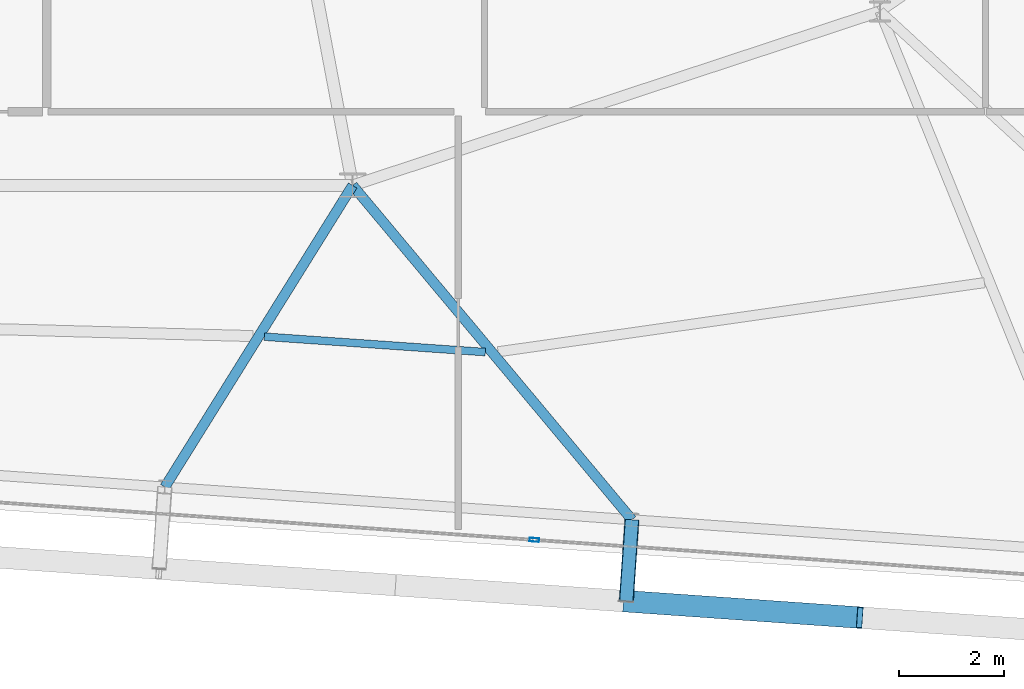
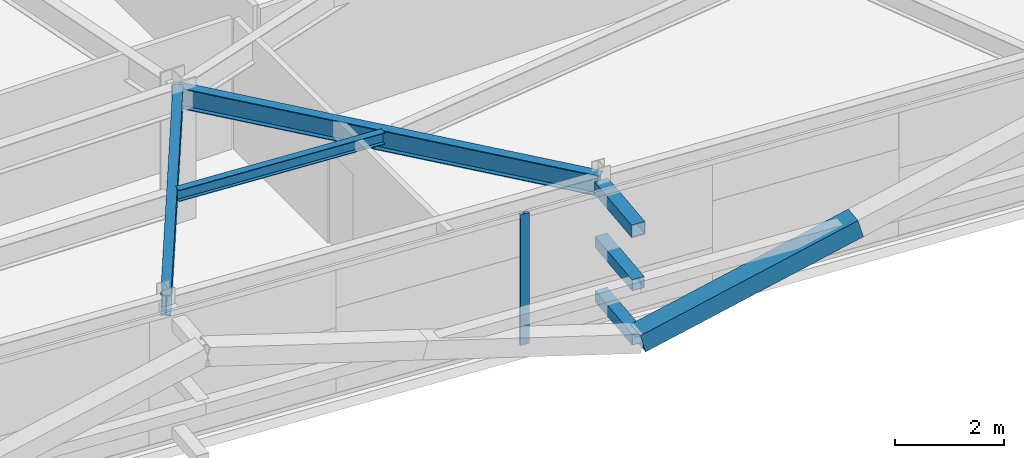
# One storey, part 13 of 39: 5 members, 3 beams, 1 element without a shape of its own.
"""IFC4 building model written with IfcOpenShell, lengths in metres."""

from ifc_helpers import new_model, si_unit, direction, frame, origin, origin_2d, place, context, subcontext, project, spatial, hollow_rectangle, i_section, extrude, source, transform, mapped, material, layer, layer_set, material_profile, profile_set, type_object, element, aggregate, save


model = new_model("IFC4")

# Units and contexts
model_context = context("Model", 3, precision=1e-05, world=origin(), true_north=direction((0.0, 1.0)))
body_context = subcontext(model_context, "Body", "Model", "MODEL_VIEW")
ifc_project = project(units=[si_unit("LENGTHUNIT", "METRE"), si_unit("AREAUNIT", "SQUARE_METRE"), si_unit("VOLUMEUNIT", "CUBIC_METRE"), si_unit("PLANEANGLEUNIT", "RADIAN"), si_unit("MASSUNIT", "GRAM", prefix="KILO")], contexts=[model_context])

# Site, building, storey
site_placement = place(None, origin())
site = spatial("IfcSite", under=ifc_project, at=site_placement, CompositionType="ELEMENT")
building_placement = place(site_placement, origin())
building = spatial("IfcBuilding", under=site, at=building_placement, Name="Taldren Reach Tower", CompositionType="ELEMENT")
storey_placement = place(building_placement, frame((0.0, 0.0, 126.699951171875)))
storey = spatial("IfcBuildingStorey", under=building, at=storey_placement, Name="L38", CompositionType="ELEMENT", Elevation=126.699951171875)

# Members
ifc_material_1 = material(Name="Steel Gr 450 (C450L0)", Category="steel")
ifc_material_profile_1 = material_profile(ifc_material_1, hollow_rectangle(XDim=0.27490234375, YDim=0.27490234375, WallThickness=0.00927734375, at=origin_2d()), Name="275x275x9.3SHS")
ifc_profile_set_1 = profile_set([ifc_material_profile_1], Name="Steel Gr 450 (C450L0)")
member_type_1 = type_object("IfcMemberType", Name="MB-TIE273", PredefinedType="STRUT", material=ifc_profile_set_1)
shared_shape_1 = source(origin(), body_context, "Body", "SweptSolid", [
    extrude(hollow_rectangle(XDim=0.27490234375, YDim=0.27490234375, WallThickness=0.00927734375, at=origin_2d()), origin(), (0.0, 0.0, 1.0), 1.5498046875),
])
member_1_placement = place(storey_placement, frame((47.297119140625, 2.860595703125, 2.650146484375), z_axis=(-0.069780535098, -0.997562367434, 0.0), x_axis=(0.997562367434, -0.069780535098, 0.0)))
element("IfcMember", 1, at=member_1_placement, inside=storey, type_object=member_type_1, Name="Exoskeleton diaphragm tie strut B3-S5 L38", PredefinedType="STRUT", context=body_context, shape_type="MappedRepresentation", body=[
    mapped(shared_shape_1, transform((0.0, 0.0, 0.0), scale=1.0)),
])
ifc_material_2 = material(Name="Steel Gr 350 (C350L0)", Category="steel")
ifc_material_profile_2 = material_profile(ifc_material_2, hollow_rectangle(XDim=0.25, YDim=0.25, WallThickness=0.010009765625, at=origin_2d()), Name="250x250x10.0SHS")
ifc_profile_set_2 = profile_set([ifc_material_profile_2], Name="Steel Gr 350 (C350L0)")
member_type_2 = type_object("IfcMemberType", Name="MB-POST250", PredefinedType="POST", material=ifc_profile_set_2)
shared_shape_2 = source(origin(), body_context, "Body", "SweptSolid", [
    extrude(hollow_rectangle(XDim=0.25, YDim=0.25, WallThickness=0.010009765625, at=origin_2d()), origin(), (0.0, 0.0, 1.0), 1.5498046875),
])
for number, where, z_axis, x_axis, name in (
    (2, (47.297119140625, 2.860595703125, 0.219970703125), (-0.069780535098, -0.997562367434, 0.0), (0.997562367434, -0.069780535098, 0.0), "Exoskeleton base diaphragm tie strut B3-S5 L38"),
    (3, (47.297119140625, 2.860595703125, 1.43505859375), (-0.069780535098, -0.997562367434, 0.0), (0.997562367434, -0.069780535098, 0.0), "Exoskeleton mid-tier diaphragm tie B3-S5 L38"),
):
    element("IfcMember", number, at=place(storey_placement, frame(where, z_axis=z_axis, x_axis=x_axis)), inside=storey, type_object=member_type_2, Name=name, PredefinedType="POST", context=body_context, shape_type="MappedRepresentation", body=[
        mapped(shared_shape_2, transform((0.0, 0.0, 0.0), scale=1.0)),
    ])

# Beams
ifc_material_3 = material(Name="Steel Gr 350 (350PLUS)", Category="steel")
ifc_material_profile_3 = material_profile(ifc_material_3, i_section(OverallWidth=0.19091796875, OverallDepth=0.4599609375, WebThickness=0.010009765625, FlangeThickness=0.01611328125, at=origin_2d()), Name="460UB82.1")
ifc_profile_set_3 = profile_set([ifc_material_profile_3], Name="Steel Gr 350 (350PLUS)")
beam_type_1 = type_object("IfcBeamType", Name="BM-UB460A", PredefinedType="BEAM", material=ifc_profile_set_3)
shared_shape_3 = source(origin(), body_context, "Body", "SweptSolid", [
    extrude(i_section(OverallWidth=0.19091796875, OverallDepth=0.4599609375, WebThickness=0.010009765625, FlangeThickness=0.01611328125, at=origin_2d()), origin(), (0.0, 0.0, 1.0), 6.73779296875),
])
beam_1_placement = place(storey_placement, frame((42.0, 9.199951171875, 2.699951171875), z_axis=(-0.528552048024, -0.848900896765, 0.0), x_axis=(0.848900896765, -0.528552048024, 0.0)))
element("IfcBeam", 4, at=beam_1_placement, inside=storey, type_object=beam_type_1, Name="Primary floor girder B3-S4 L38", PredefinedType="BEAM", context=body_context, shape_type="MappedRepresentation", body=[
    mapped(shared_shape_3, transform((0.0, 0.0, 0.0), scale=1.0)),
])
shared_shape_4 = source(origin(), body_context, "Body", "SweptSolid", [
    extrude(i_section(OverallWidth=0.19091796875, OverallDepth=0.4599609375, WebThickness=0.010009765625, FlangeThickness=0.01611328125, at=origin_2d()), origin(), (0.0, 0.0, 1.0), 8.26123046875),
])
beam_2_placement = place(storey_placement, frame((42.0, 9.199951171875, 2.699951171875), z_axis=(0.64120703686, -0.767367927322, 0.0), x_axis=(0.767367927322, 0.64120703686, 0.0)))
element("IfcBeam", 5, at=beam_2_placement, inside=storey, type_object=beam_type_1, Name="Primary floor girder B3-S5 L38", PredefinedType="BEAM", context=body_context, shape_type="MappedRepresentation", body=[
    mapped(shared_shape_4, transform((0.0, 0.0, 0.0), scale=1.0)),
])
ifc_material_4 = material(Name="Steel Gr 300 (300PLUS, 300 MPa)", Category="steel")
ifc_material_profile_4 = material_profile(ifc_material_4, i_section(OverallWidth=0.14599609375, OverallDepth=0.256103515625, WebThickness=0.00634765625, FlangeThickness=0.010986328125, at=origin_2d()), Name="250UB37.3")
ifc_profile_set_4 = profile_set([ifc_material_profile_4], Name="Steel Gr 300 (300PLUS, 300 MPa)")
beam_type_2 = type_object("IfcBeamType", Name="JS-UB250", PredefinedType="JOIST", material=ifc_profile_set_4)
shared_shape_5 = source(origin(), body_context, "Body", "SweptSolid", [
    extrude(i_section(OverallWidth=0.14599609375, OverallDepth=0.256103515625, WebThickness=0.00634765625, FlangeThickness=0.010986328125, at=origin_2d()), origin(), (0.0, 0.0, 1.0), 4.199462890625),
])
beam_3_placement = place(storey_placement, frame((40.3271484375, 6.33251953125, 2.802001953125), z_axis=(0.99756354117, -0.069763753681, 0.0), x_axis=(0.069763753681, 0.99756354117, 0.0)))
element("IfcBeam", 6, at=beam_3_placement, inside=storey, type_object=beam_type_2, Name="Secondary floor joist B3 J4 L38", PredefinedType="JOIST", context=body_context, shape_type="MappedRepresentation", body=[
    mapped(shared_shape_5, transform((0.0, 0.0, 0.0), scale=1.0)),
])

# Member
ifc_material_profile_5 = material_profile(ifc_material_1, hollow_rectangle(XDim=0.409912109375, YDim=0.409912109375, WallThickness=0.01611328125, at=origin_2d()), Name="410x410x16.0SHS")
ifc_profile_set_5 = profile_set([ifc_material_profile_5], Name="Steel Gr 450 (C450L0)")
member_type_3 = type_object("IfcMemberType", Name="MB-EXO406", PredefinedType="BRACE", material=ifc_profile_set_5)
shared_shape_6 = source(origin(), body_context, "Body", "SweptSolid", [
    extrude(hollow_rectangle(XDim=0.409912109375, YDim=0.409912109375, WallThickness=0.01611328125, at=origin_2d()), origin(), (0.0, 0.0, 1.0), 4.603271484375),
])
member_2_placement = place(storey_placement, frame((47.18896484375, 1.314453125, 0.219970703125), z_axis=(0.962182351074, -0.067302910567, 0.263961060594), x_axis=(0.06977769246, 0.997562566276, 0.0)))
element("IfcMember", 7, at=member_2_placement, inside=storey, type_object=member_type_3, Name="Exoskeleton Diagrid Brace B3-S5 L38", PredefinedType="BRACE", context=body_context, shape_type="MappedRepresentation", body=[
    mapped(shared_shape_6, transform((0.0, 0.0, 0.0), scale=1.0)),
])

# Curtain wall, member
ifc_material_5 = material(Name="Aluminium and Low-E Glass Unitised System", Category="aluminium")
ifc_layer = layer(ifc_material_5, 0.159912109375)
ifc_layer_set = layer_set([ifc_layer], Name="Aluminium and Low-E Glass Unitised System")
curtain_wall_type = type_object("IfcCurtainWallType", Name="CW-SYS-4", PredefinedType="NOTDEFINED", material=ifc_layer_set)
curtain_wall_placement = place(storey_placement, origin())
curtain_wall = element("IfcCurtainWall", 8, at=curtain_wall_placement, inside=storey, type_object=curtain_wall_type, Name="Unitised curtain wall CW-L38-S", PredefinedType="NOTDEFINED")
ifc_material_6 = material(Name="Anodised Aluminium 6063-T6", Category="aluminium")
ifc_material_profile_6 = material_profile(ifc_material_6, hollow_rectangle(XDim=0.070068359375, YDim=0.179931640625, WallThickness=0.00390625, at=origin_2d()), Name="ALU-180x70x4RHS")
ifc_profile_set_6 = profile_set([ifc_material_profile_6], Name="Anodised Aluminium 6063-T6")
member_type_4 = type_object("IfcMemberType", Name="CW-MUL-180", PredefinedType="MULLION", material=ifc_profile_set_6)
shared_shape_7 = source(origin(), body_context, "Body", "SweptSolid", [
    extrude(hollow_rectangle(XDim=0.070068359375, YDim=0.179931640625, WallThickness=0.00390625, at=origin_2d()), origin(), (0.0, 0.0, 1.0), 2.929931640625),
])
member_3_placement = place(storey_placement, frame((45.44580078125, 2.478759765625, 0.0), z_axis=(0.0, 0.0, 1.0), x_axis=(0.06975651593, 0.99756404731, 0.0)))
member_3 = element("IfcMember", 9, at=member_3_placement, type_object=member_type_4, Name="CW-4 mullion 4", PredefinedType="MULLION", context=body_context, shape_type="MappedRepresentation", body=[
    mapped(shared_shape_7, transform((0.0, 0.0, 0.0), scale=1.0)),
])
aggregate(curtain_wall, [member_3])

save(model, "model.ifc")
